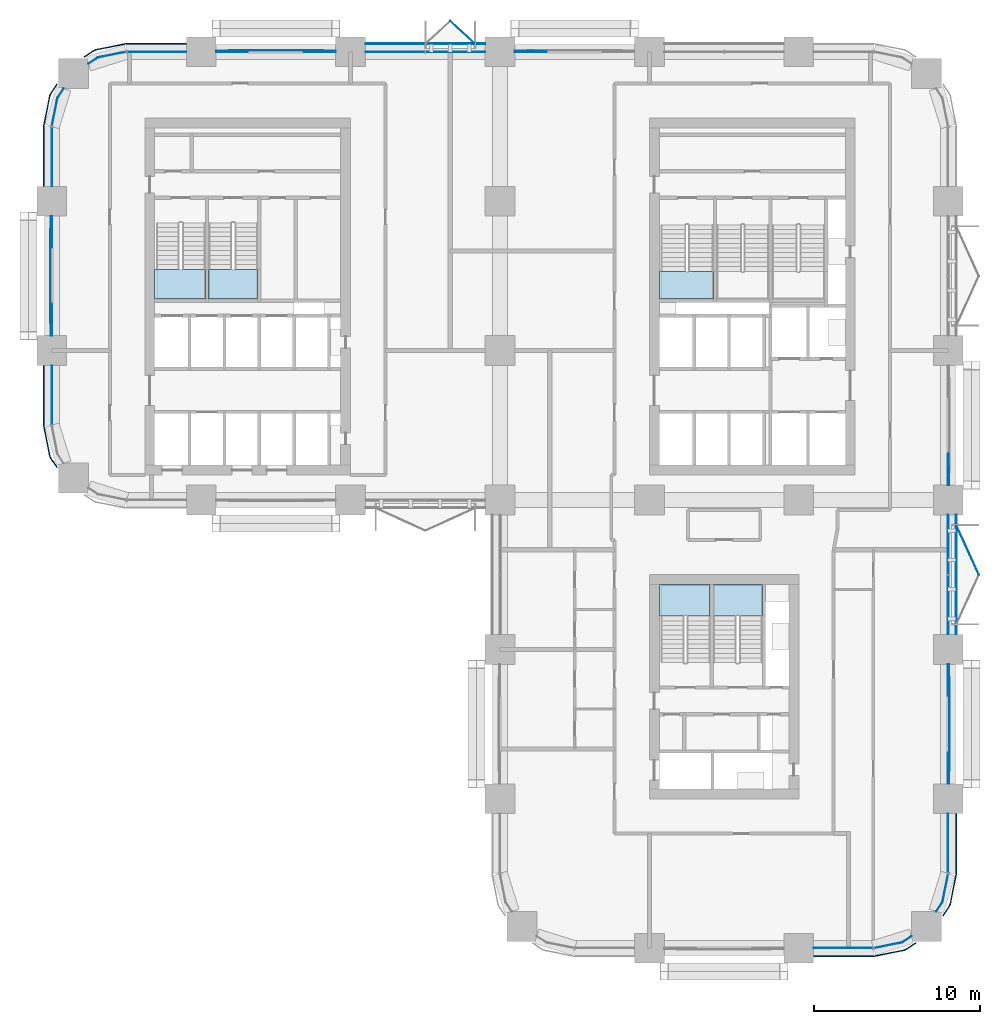
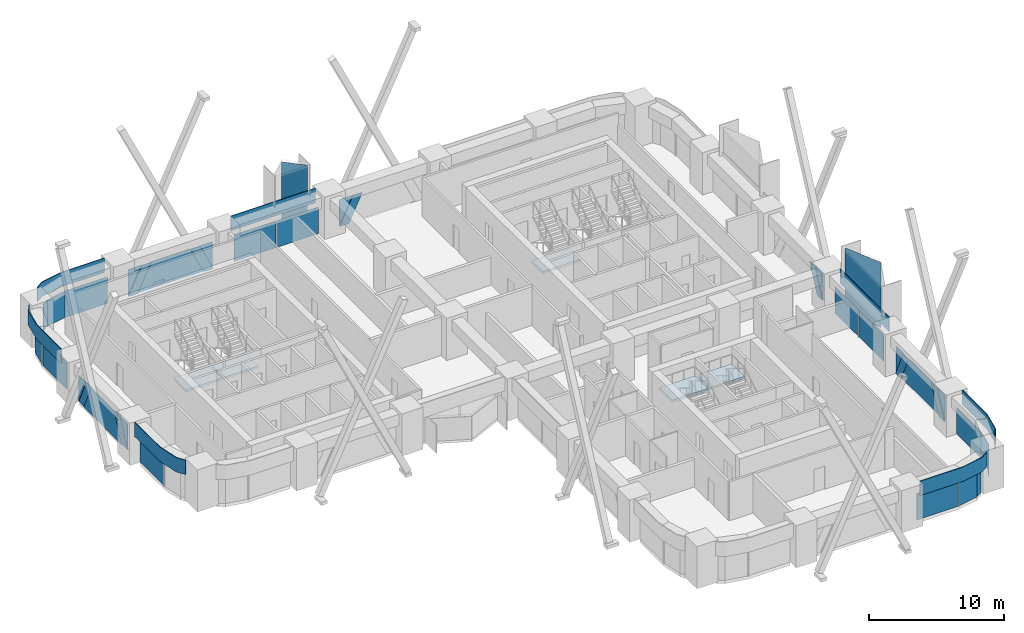
# One storey, part 11 of 19: 41 plates, 5 slabs, 17 elements without a shape of their own.
"""IFC4 building model written with IfcOpenShell, lengths in metres."""

from ifc_helpers import new_model, si_unit, direction, frame, origin, origin_2d, place, context, subcontext, project, spatial, polyline, rectangle, outline, extrude, material, layer, layer_set, type_object, element, aggregate, save


model = new_model("IFC4")

# Units and contexts
model_context = context("Model", 3, precision=1e-05, world=origin(), true_north=direction((0.0, 1.0)))
body_context = subcontext(model_context, "Body", "Model", "MODEL_VIEW")
ifc_project = project(units=[si_unit("LENGTHUNIT", "METRE"), si_unit("AREAUNIT", "SQUARE_METRE"), si_unit("VOLUMEUNIT", "CUBIC_METRE"), si_unit("PLANEANGLEUNIT", "RADIAN"), si_unit("MASSUNIT", "GRAM", prefix="KILO")], contexts=[model_context])

# Site, building, storey
site_placement = place(None, origin())
site = spatial("IfcSite", under=ifc_project, at=site_placement, CompositionType="ELEMENT")
building_placement = place(site_placement, origin())
building = spatial("IfcBuilding", under=site, at=building_placement, Name="Tessera Arch", CompositionType="ELEMENT")
storey_placement = place(building_placement, frame((0.0, 0.0, 93.0)))
storey = spatial("IfcBuildingStorey", under=building, at=storey_placement, Name="L21", CompositionType="ELEMENT", Elevation=93.0)

# Curtain wall, plates
ifc_material_1 = material(Name="CW1 curtain wall")
curtain_wall_type_1 = type_object("IfcCurtainWallType", Name="CW1 curtain wall", PredefinedType="NOTDEFINED", material=ifc_material_1)
curtain_wall_1_placement = place(storey_placement, origin())
curtain_wall_1 = element("IfcCurtainWall", 1, at=curtain_wall_1_placement, inside=storey, type_object=curtain_wall_type_1, Name="CW1 curtain wall N54.0/2 L21", PredefinedType="NOTDEFINED")
ifc_material_2 = material(Name="Clear low-e glass", Category="glass")
ifc_material_3 = material(Name="Clear low-e glass", Category="glass")
ifc_layer_1 = layer(ifc_material_3, 0.028076171875)
ifc_layer_set_1 = layer_set([ifc_layer_1], Name="CW1 glass panel")
plate_type_1 = type_object("IfcPlateType", Name="CW1 glass panel", PredefinedType="CURTAIN_PANEL", material=ifc_layer_set_1)
plate_1_placement = place(storey_placement, frame((24.31494140625, 54.0, 0.0), z_axis=(0.0, 0.0, 1.0), x_axis=(-1.0, 0.0, 0.0)))
plate_1 = element("IfcPlate", 2, at=plate_1_placement, type_object=plate_type_1, material=ifc_material_2, Name="CW1 glass panel N54.0/2 1.1.1", PredefinedType="CURTAIN_PANEL", context=body_context, shape_type="SweptSolid", body=[
    extrude(rectangle(XDim=3.570068359375, YDim=0.028076171875, at=origin_2d()), origin(), (0.0, 0.0, 1.0), 2.39990234375),
])
plate_2_placement = place(storey_placement, frame((20.68505859375, 54.0, 0.0), z_axis=(0.0, 0.0, 1.0), x_axis=(-1.0, 0.0, 0.0)))
plate_2 = element("IfcPlate", 3, at=plate_2_placement, type_object=plate_type_1, material=ifc_material_2, Name="CW1 glass panel N54.0/2 1.2.1", PredefinedType="CURTAIN_PANEL", context=body_context, shape_type="SweptSolid", body=[
    extrude(rectangle(XDim=3.570068359375, YDim=0.028076171875, at=origin_2d()), origin(), (0.0, 0.0, 1.0), 2.39990234375),
])

curtain_wall_2_placement = place(storey_placement, origin())
curtain_wall_2 = element("IfcCurtainWall", 4, at=curtain_wall_2_placement, inside=storey, type_object=curtain_wall_type_1, Name="CW1 curtain wall E54.0/2 L21", PredefinedType="NOTDEFINED")
plate_3_placement = place(storey_placement, frame((54.0, 20.68505859375, 0.0), z_axis=(0.0, 0.0, 1.0), x_axis=(0.0, 1.0, 0.0)))
plate_3 = element("IfcPlate", 5, at=plate_3_placement, type_object=plate_type_1, material=ifc_material_2, Name="CW1 glass panel E54.0/2 1.1.1", PredefinedType="CURTAIN_PANEL", context=body_context, shape_type="SweptSolid", body=[
    extrude(rectangle(XDim=3.570068359375, YDim=0.028076171875, at=origin_2d()), origin(), (0.0, 0.0, 1.0), 2.39990234375),
])
plate_4_placement = place(storey_placement, frame((54.0, 24.31494140625, 0.0), z_axis=(0.0, 0.0, 1.0), x_axis=(0.0, 1.0, 0.0)))
plate_4 = element("IfcPlate", 6, at=plate_4_placement, type_object=plate_type_1, material=ifc_material_2, Name="CW1 glass panel E54.0/2 1.2.1", PredefinedType="CURTAIN_PANEL", context=body_context, shape_type="SweptSolid", body=[
    extrude(rectangle(XDim=3.570068359375, YDim=0.028076171875, at=origin_2d()), origin(), (0.0, 0.0, 1.0), 2.39990234375),
])

# Plate
ifc_material_4 = material(Name="Pale anodised aluminium panel", Category="aluminium")
ifc_layer_2 = layer(ifc_material_4, 0.06005859375)
ifc_layer_set_2 = layer_set([ifc_layer_2], Name="CW1 spandrel panel")
plate_type_2 = type_object("IfcPlateType", Name="CW1 spandrel panel", PredefinedType="CURTAIN_PANEL", material=ifc_layer_set_2)
plate_5_placement = place(storey_placement, frame((22.5, 54.47998046875, 2.5), z_axis=(0.0, 0.0, 1.0), x_axis=(-1.0, 0.0, 0.0)))
plate_5 = element("IfcPlate", 7, at=plate_5_placement, type_object=plate_type_2, Name="CW1 spandrel panel N54.0/2", PredefinedType="CURTAIN_PANEL", context=body_context, shape_type="SweptSolid", body=[
    extrude(rectangle(XDim=7.199951171875, YDim=0.06005859375, at=origin_2d()), origin(), (0.0, 0.0, 1.0), 1.300048828125),
])

aggregate(curtain_wall_1, [plate_1, plate_2, plate_5])

plate_6_placement = place(storey_placement, frame((54.47998046875, 22.5, 2.5), z_axis=(0.0, 0.0, 1.0), x_axis=(0.0, 1.0, 0.0)))
plate_6 = element("IfcPlate", 8, at=plate_6_placement, type_object=plate_type_2, Name="CW1 spandrel panel E54.0/2", PredefinedType="CURTAIN_PANEL", context=body_context, shape_type="SweptSolid", body=[
    extrude(rectangle(XDim=7.199951171875, YDim=0.06005859375, at=origin_2d()), origin(), (0.0, 0.0, 1.0), 1.300048828125),
])

aggregate(curtain_wall_2, [plate_3, plate_4, plate_6])

# Curtain wall, plates
ifc_material_5 = material(Name="CW2 curtain wall")
curtain_wall_type_2 = type_object("IfcCurtainWallType", Name="CW2 curtain wall", PredefinedType="NOTDEFINED", material=ifc_material_5)
curtain_wall_3_placement = place(storey_placement, origin())
curtain_wall_3 = element("IfcCurtainWall", 9, at=curtain_wall_3_placement, inside=storey, type_object=curtain_wall_type_2, Name="CW2 curtain wall N54.0/4 L21", PredefinedType="NOTDEFINED")
ifc_material_6 = material(Name="Clear low-e glass", Category="glass")
ifc_layer_3 = layer(ifc_material_6, 0.028076171875)
ifc_layer_set_3 = layer_set([ifc_layer_3], Name="CW2 glass panel")
plate_type_3 = type_object("IfcPlateType", Name="CW2 glass panel", PredefinedType="CURTAIN_PANEL", material=ifc_layer_set_3)
plate_7_placement = place(storey_placement, frame((6.320068359375, 54.0, 0.0), z_axis=(0.0, 0.0, 1.0), x_axis=(-1.0, 0.0, 0.0)))
plate_7 = element("IfcPlate", 10, at=plate_7_placement, type_object=plate_type_3, material=ifc_material_2, Name="CW2 glass panel N54.0/4 1.1", PredefinedType="CURTAIN_PANEL", context=body_context, shape_type="SweptSolid", body=[
    extrude(rectangle(XDim=3.56005859375, YDim=0.028076171875, at=origin_2d()), origin(), (0.0, 0.0, 1.0), 2.39990234375),
])
plate_8_placement = place(storey_placement, origin())
plate_8 = element("IfcPlate", 11, at=plate_8_placement, type_object=plate_type_3, material=ifc_material_2, Name="CW2 curved glass panel N54.0/4 2.1", PredefinedType="CURTAIN_PANEL", context=body_context, shape_type="SweptSolid", body=[
    extrude(outline(polyline([(2.783447265625, 53.644287109375), (4.46337890625, 53.978515625), (4.4580078125, 54.005859375), (2.7724609375, 53.670654296875), (2.210205078125, 53.294921875), (2.225830078125, 53.271728515625), (2.783447265625, 53.644287109375)])), origin(), (0.0, 0.0, 1.0), 2.39990234375),
])

curtain_wall_4_placement = place(storey_placement, origin())
curtain_wall_4 = element("IfcCurtainWall", 12, at=curtain_wall_4_placement, inside=storey, type_object=curtain_wall_type_2, Name="CW2 curtain wall W0.27/0 L21", PredefinedType="NOTDEFINED")
plate_9_placement = place(storey_placement, frame((0.0, 47.679931640625, 0.0), z_axis=(0.0, 0.0, 1.0), x_axis=(0.0, -1.0, 0.0)))
plate_9 = element("IfcPlate", 13, at=plate_9_placement, type_object=plate_type_3, material=ifc_material_2, Name="CW2 glass panel W0.27/0 1.1", PredefinedType="CURTAIN_PANEL", context=body_context, shape_type="SweptSolid", body=[
    extrude(rectangle(XDim=3.56005859375, YDim=0.028076171875, at=origin_2d()), origin(), (0.0, 0.0, 1.0), 2.39990234375),
])
plate_10_placement = place(storey_placement, origin())
plate_10 = element("IfcPlate", 14, at=plate_10_placement, type_object=plate_type_3, material=ifc_material_2, Name="CW2 curved glass panel W0.27/0 2.1", PredefinedType="CURTAIN_PANEL", context=body_context, shape_type="SweptSolid", body=[
    extrude(outline(polyline([(0.355712890625, 51.216552734375), (0.728271484375, 51.774169921875), (0.705078125, 51.789794921875), (0.329345703125, 51.2275390625), (-0.005859375, 49.5419921875), (0.021484375, 49.53662109375), (0.355712890625, 51.216552734375)])), origin(), (0.0, 0.0, 1.0), 2.39990234375),
])

# Curtain wall, plate
curtain_wall_5_placement = place(storey_placement, origin())
curtain_wall_5 = element("IfcCurtainWall", 15, at=curtain_wall_5_placement, inside=storey, type_object=curtain_wall_type_2, Name="CW2 curtain wall W0.27/2 L21", PredefinedType="NOTDEFINED")
plate_11_placement = place(storey_placement, frame((0.0, 33.320068359375, 0.0), z_axis=(0.0, 0.0, 1.0), x_axis=(0.0, -1.0, 0.0)))
plate_11 = element("IfcPlate", 16, at=plate_11_placement, type_object=plate_type_3, material=ifc_material_2, Name="CW2 glass panel W0.27/2 1.1", PredefinedType="CURTAIN_PANEL", context=body_context, shape_type="SweptSolid", body=[
    extrude(rectangle(XDim=3.56005859375, YDim=0.028076171875, at=origin_2d()), origin(), (0.0, 0.0, 1.0), 2.39990234375),
])

# Curtain wall, plates
curtain_wall_6_placement = place(storey_placement, origin())
curtain_wall_6 = element("IfcCurtainWall", 17, at=curtain_wall_6_placement, inside=storey, type_object=curtain_wall_type_2, Name="CW2 curtain wall S0.27/2 L21", PredefinedType="NOTDEFINED")
plate_12_placement = place(storey_placement, frame((47.679931640625, 0.0, 0.0), z_axis=(0.0, 0.0, 1.0), x_axis=(1.0, 0.0, 0.0)))
plate_12 = element("IfcPlate", 18, at=plate_12_placement, type_object=plate_type_3, material=ifc_material_2, Name="CW2 glass panel S0.27/2 1.1", PredefinedType="CURTAIN_PANEL", context=body_context, shape_type="SweptSolid", body=[
    extrude(rectangle(XDim=3.56005859375, YDim=0.028076171875, at=origin_2d()), origin(), (0.0, 0.0, 1.0), 2.39990234375),
])
plate_13_placement = place(storey_placement, origin())
plate_13 = element("IfcPlate", 19, at=plate_13_placement, type_object=plate_type_3, material=ifc_material_2, Name="CW2 curved glass panel S0.27/2 2.1", PredefinedType="CURTAIN_PANEL", context=body_context, shape_type="SweptSolid", body=[
    extrude(outline(polyline([(51.216552734375, 0.355712890625), (49.53662109375, 0.021484375), (49.5419921875, -0.005859375), (51.2275390625, 0.329345703125), (51.789794921875, 0.705078125), (51.774169921875, 0.728271484375), (51.216552734375, 0.355712890625)])), origin(), (0.0, 0.0, 1.0), 2.39990234375),
])

curtain_wall_7_placement = place(storey_placement, origin())
curtain_wall_7 = element("IfcCurtainWall", 20, at=curtain_wall_7_placement, inside=storey, type_object=curtain_wall_type_2, Name="CW2 curtain wall E54.0/0 L21", PredefinedType="NOTDEFINED")
plate_14_placement = place(storey_placement, frame((54.0, 6.320068359375, 0.0), z_axis=(0.0, 0.0, 1.0), x_axis=(0.0, 1.0, 0.0)))
plate_14 = element("IfcPlate", 21, at=plate_14_placement, type_object=plate_type_3, material=ifc_material_2, Name="CW2 glass panel E54.0/0 1.1", PredefinedType="CURTAIN_PANEL", context=body_context, shape_type="SweptSolid", body=[
    extrude(rectangle(XDim=3.56005859375, YDim=0.028076171875, at=origin_2d()), origin(), (0.0, 0.0, 1.0), 2.39990234375),
])
plate_15_placement = place(storey_placement, origin())
plate_15 = element("IfcPlate", 22, at=plate_15_placement, type_object=plate_type_3, material=ifc_material_2, Name="CW2 curved glass panel E54.0/0 2.1", PredefinedType="CURTAIN_PANEL", context=body_context, shape_type="SweptSolid", body=[
    extrude(outline(polyline([(53.644287109375, 2.783447265625), (53.271728515625, 2.225830078125), (53.294921875, 2.210205078125), (53.670654296875, 2.7724609375), (54.005859375, 4.4580078125), (53.978515625, 4.46337890625), (53.644287109375, 2.783447265625)])), origin(), (0.0, 0.0, 1.0), 2.39990234375),
])

# Plate
ifc_material_7 = material(Name="Pale anodised aluminium panel", Category="aluminium")
ifc_layer_4 = layer(ifc_material_7, 0.06005859375)
ifc_layer_set_4 = layer_set([ifc_layer_4], Name="CW2 spandrel panel")
plate_type_4 = type_object("IfcPlateType", Name="CW2 spandrel panel", PredefinedType="CURTAIN_PANEL", material=ifc_layer_set_4)
plate_16_placement = place(storey_placement, frame((0.0, 0.0, 2.5)))
plate_16 = element("IfcPlate", 23, at=plate_16_placement, type_object=plate_type_4, Name="CW2 spandrel panel N54.0/4", PredefinedType="CURTAIN_PANEL", context=body_context, shape_type="SweptSolid", body=[
    extrude(outline(polyline([(4.500732421875, 54.449951171875), (8.10009765625, 54.449951171875), (8.10009765625, 54.510009765625), (4.499267578125, 54.510009765625), (4.449951171875, 54.507568359375), (4.401123046875, 54.500244140625), (2.677734375, 54.157470703125), (2.6298828125, 54.1455078125), (2.582763671875, 54.128662109375), (2.537353515625, 54.107177734375), (2.4951171875, 54.08203125), (1.9345703125, 53.707275390625), (1.968017578125, 53.657470703125), (2.52734375, 54.03125), (2.565673828125, 54.05419921875), (2.605712890625, 54.0732421875), (2.647216796875, 54.088134765625), (2.69091796875, 54.09912109375), (4.411376953125, 54.441162109375), (4.455810546875, 54.44775390625), (4.500732421875, 54.449951171875)])), origin(), (0.0, 0.0, 1.0), 1.300048828125),
])

aggregate(curtain_wall_3, [plate_7, plate_8, plate_16])

plate_17_placement = place(storey_placement, frame((0.0, 0.0, 2.5)))
plate_17 = element("IfcPlate", 24, at=plate_17_placement, type_object=plate_type_4, Name="CW2 spandrel panel W0.27/0", PredefinedType="CURTAIN_PANEL", context=body_context, shape_type="SweptSolid", body=[
    extrude(outline(polyline([(-0.03125, 51.47265625), (0.342529296875, 52.031982421875), (0.292724609375, 52.0654296875), (-0.08203125, 51.5048828125), (-0.107177734375, 51.462646484375), (-0.128662109375, 51.417236328125), (-0.1455078125, 51.3701171875), (-0.157470703125, 51.322265625), (-0.500244140625, 49.598876953125), (-0.507568359375, 49.550048828125), (-0.510009765625, 49.500732421875), (-0.510009765625, 45.89990234375), (-0.449951171875, 45.89990234375), (-0.449951171875, 49.499267578125), (-0.44775390625, 49.544189453125), (-0.441162109375, 49.588623046875), (-0.09912109375, 51.30908203125), (-0.088134765625, 51.352783203125), (-0.0732421875, 51.394287109375), (-0.05419921875, 51.434326171875), (-0.03125, 51.47265625)])), origin(), (0.0, 0.0, 1.0), 1.300048828125),
])

aggregate(curtain_wall_4, [plate_9, plate_10, plate_17])

plate_18_placement = place(storey_placement, frame((0.0, 0.0, 2.5)))
plate_18 = element("IfcPlate", 25, at=plate_18_placement, type_object=plate_type_4, Name="CW2 spandrel panel W0.27/2", PredefinedType="CURTAIN_PANEL", context=body_context, shape_type="SweptSolid", body=[
    extrude(outline(polyline([(-0.449951171875, 31.500732421875), (-0.449951171875, 35.10009765625), (-0.510009765625, 35.10009765625), (-0.510009765625, 31.499267578125), (-0.507568359375, 31.449951171875), (-0.500244140625, 31.401123046875), (-0.157470703125, 29.677734375), (-0.1455078125, 29.6298828125), (-0.128662109375, 29.582763671875), (-0.107177734375, 29.537353515625), (-0.08203125, 29.4951171875), (0.292724609375, 28.9345703125), (0.342529296875, 28.968017578125), (-0.03125, 29.52734375), (-0.05419921875, 29.565673828125), (-0.0732421875, 29.605712890625), (-0.088134765625, 29.647216796875), (-0.09912109375, 29.69091796875), (-0.441162109375, 31.411376953125), (-0.44775390625, 31.455810546875), (-0.449951171875, 31.500732421875)])), origin(), (0.0, 0.0, 1.0), 1.300048828125),
])

aggregate(curtain_wall_5, [plate_11, plate_18])

plate_19_placement = place(storey_placement, frame((0.0, 0.0, 2.5)))
plate_19 = element("IfcPlate", 26, at=plate_19_placement, type_object=plate_type_4, Name="CW2 spandrel panel S0.27/2", PredefinedType="CURTAIN_PANEL", context=body_context, shape_type="SweptSolid", body=[
    extrude(outline(polyline([(49.499267578125, -0.449951171875), (45.89990234375, -0.449951171875), (45.89990234375, -0.510009765625), (49.500732421875, -0.510009765625), (49.550048828125, -0.507568359375), (49.598876953125, -0.500244140625), (51.322265625, -0.157470703125), (51.3701171875, -0.1455078125), (51.417236328125, -0.128662109375), (51.462646484375, -0.107177734375), (51.5048828125, -0.08203125), (52.0654296875, 0.292724609375), (52.031982421875, 0.342529296875), (51.47265625, -0.03125), (51.434326171875, -0.05419921875), (51.394287109375, -0.0732421875), (51.352783203125, -0.088134765625), (51.30908203125, -0.09912109375), (49.588623046875, -0.441162109375), (49.544189453125, -0.44775390625), (49.499267578125, -0.449951171875)])), origin(), (0.0, 0.0, 1.0), 1.300048828125),
])

aggregate(curtain_wall_6, [plate_12, plate_13, plate_19])

plate_20_placement = place(storey_placement, frame((0.0, 0.0, 2.5)))
plate_20 = element("IfcPlate", 27, at=plate_20_placement, type_object=plate_type_4, Name="CW2 spandrel panel E54.0/0", PredefinedType="CURTAIN_PANEL", context=body_context, shape_type="SweptSolid", body=[
    extrude(outline(polyline([(54.03125, 2.52734375), (53.657470703125, 1.968017578125), (53.707275390625, 1.9345703125), (54.08203125, 2.4951171875), (54.107177734375, 2.537353515625), (54.128662109375, 2.582763671875), (54.1455078125, 2.6298828125), (54.157470703125, 2.677734375), (54.500244140625, 4.401123046875), (54.507568359375, 4.449951171875), (54.510009765625, 4.499267578125), (54.510009765625, 8.10009765625), (54.449951171875, 8.10009765625), (54.449951171875, 4.500732421875), (54.44775390625, 4.455810546875), (54.441162109375, 4.411376953125), (54.09912109375, 2.69091796875), (54.088134765625, 2.647216796875), (54.0732421875, 2.605712890625), (54.05419921875, 2.565673828125), (54.03125, 2.52734375)])), origin(), (0.0, 0.0, 1.0), 1.300048828125),
])

aggregate(curtain_wall_7, [plate_14, plate_15, plate_20])

# Curtain wall, plate
ifc_material_8 = material(Name="CW3 curtain wall")
curtain_wall_type_3 = type_object("IfcCurtainWallType", Name="CW3 curtain wall", PredefinedType="NOTDEFINED", material=ifc_material_8)
curtain_wall_8_placement = place(storey_placement, origin())
curtain_wall_8 = element("IfcCurtainWall", 28, at=curtain_wall_8_placement, inside=storey, type_object=curtain_wall_type_3, Name="CW3 curtain wall N54.0/1 L21", PredefinedType="NOTDEFINED")
ifc_material_9 = material(Name="Pale anodised aluminium panel", Category="aluminium")
ifc_layer_5 = layer(ifc_material_9, 0.06005859375)
ifc_layer_set_5 = layer_set([ifc_layer_5], Name="CW3 diagonal panel")
plate_type_5 = type_object("IfcPlateType", Name="CW3 diagonal panel", PredefinedType="CURTAIN_PANEL", material=ifc_layer_set_5)
plate_21_placement = place(storey_placement, frame((27.89990234375, 54.030029296875, 0.0), z_axis=(0.0, 1.0, 0.0), x_axis=(0.0, 0.0, 1.0)))
plate_21 = element("IfcPlate", 29, at=plate_21_placement, type_object=plate_type_5, Name="CW3 diagonal panel N54.0/1 1", PredefinedType="CURTAIN_PANEL", context=body_context, shape_type="SweptSolid", body=[
    extrude(outline(polyline([(0.0, 0.0), (0.04248046875, 0.0), (2.39990234375, 1.11669921875), (2.39990234375, 1.9150390625), (0.0, 0.778076171875), (0.0, 0.0)])), origin(), (0.0, 0.0, -1.0), 0.06005859375),
])

# Curtain wall, plates
curtain_wall_9_placement = place(storey_placement, origin())
curtain_wall_9 = element("IfcCurtainWall", 30, at=curtain_wall_9_placement, inside=storey, type_object=curtain_wall_type_3, Name="CW3 curtain wall N54.0/3 L21", PredefinedType="NOTDEFINED")
plate_22_placement = place(storey_placement, frame((9.89990234375, 54.030029296875, 0.0), z_axis=(0.0, 1.0, 0.0), x_axis=(0.0, 0.0, 1.0)))
plate_22 = element("IfcPlate", 31, at=plate_22_placement, type_object=plate_type_5, Name="CW3 diagonal panel N54.0/3 1", PredefinedType="CURTAIN_PANEL", context=body_context, shape_type="SweptSolid", body=[
    extrude(outline(polyline([(0.0, 0.0), (0.04248046875, 0.0), (2.39990234375, 1.11669921875), (2.39990234375, 1.9150390625), (0.0, 0.778076171875), (0.0, 0.0)])), origin(), (0.0, 0.0, -1.0), 0.06005859375),
])
plate_23_placement = place(storey_placement, frame((15.18505859375, 54.030029296875, 2.39990234375), z_axis=(0.0, 1.0, 0.0), x_axis=(1.0, 0.0, 0.0)))
plate_23 = element("IfcPlate", 32, at=plate_23_placement, type_object=plate_type_5, Name="CW3 diagonal panel N54.0/3 2", PredefinedType="CURTAIN_PANEL", context=body_context, shape_type="SweptSolid", body=[
    extrude(outline(polyline([(0.0, 0.0), (0.79833984375, 0.0), (1.9150390625, 2.357421875), (1.9150390625, 2.39990234375), (1.136962890625, 2.39990234375), (0.0, 0.0)])), origin(), (0.0, 0.0, -1.0), 0.06005859375),
])

curtain_wall_10_placement = place(storey_placement, origin())
curtain_wall_10 = element("IfcCurtainWall", 33, at=curtain_wall_10_placement, inside=storey, type_object=curtain_wall_type_3, Name="CW3 curtain wall W0.27/1 L21", PredefinedType="NOTDEFINED")
plate_24_placement = place(storey_placement, frame((-0.030029296875, 36.89990234375, 0.0), z_axis=(-1.0, 0.0, 0.0), x_axis=(0.0, 0.0, 1.0)))
plate_24 = element("IfcPlate", 34, at=plate_24_placement, type_object=plate_type_5, Name="CW3 diagonal panel W0.27/1 1", PredefinedType="CURTAIN_PANEL", context=body_context, shape_type="SweptSolid", body=[
    extrude(outline(polyline([(0.0, 0.0), (0.04248046875, 0.0), (2.39990234375, 1.11669921875), (2.39990234375, 1.9150390625), (0.0, 0.778076171875), (0.0, 0.0)])), origin(), (0.0, 0.0, -1.0), 0.06005859375),
])
plate_25_placement = place(storey_placement, frame((-0.030029296875, 42.18505859375, 2.39990234375), z_axis=(-1.0, 0.0, 0.0), x_axis=(0.0, 1.0, 0.0)))
plate_25 = element("IfcPlate", 35, at=plate_25_placement, type_object=plate_type_5, Name="CW3 diagonal panel W0.27/1 2", PredefinedType="CURTAIN_PANEL", context=body_context, shape_type="SweptSolid", body=[
    extrude(outline(polyline([(0.0, 0.0), (0.79833984375, 0.0), (1.9150390625, 2.357421875), (1.9150390625, 2.39990234375), (1.136962890625, 2.39990234375), (0.0, 0.0)])), origin(), (0.0, 0.0, -1.0), 0.06005859375),
])

curtain_wall_11_placement = place(storey_placement, origin())
curtain_wall_11 = element("IfcCurtainWall", 36, at=curtain_wall_11_placement, inside=storey, type_object=curtain_wall_type_3, Name="CW3 curtain wall E54.0/1 L21", PredefinedType="NOTDEFINED")
plate_26_placement = place(storey_placement, frame((54.030029296875, 17.10009765625, 0.0), z_axis=(1.0, 0.0, 0.0), x_axis=(0.0, 0.0, 1.0)))
plate_26 = element("IfcPlate", 37, at=plate_26_placement, type_object=plate_type_5, Name="CW3 diagonal panel E54.0/1 1", PredefinedType="CURTAIN_PANEL", context=body_context, shape_type="SweptSolid", body=[
    extrude(outline(polyline([(0.0, 0.0), (0.04248046875, 0.0), (2.39990234375, 1.11669921875), (2.39990234375, 1.9150390625), (0.0, 0.778076171875), (0.0, 0.0)])), origin(), (0.0, 0.0, -1.0), 0.06005859375),
])
plate_27_placement = place(storey_placement, frame((54.030029296875, 11.81494140625, 2.39990234375), z_axis=(1.0, 0.0, 0.0), x_axis=(0.0, -1.0, 0.0)))
plate_27 = element("IfcPlate", 38, at=plate_27_placement, type_object=plate_type_5, Name="CW3 diagonal panel E54.0/1 2", PredefinedType="CURTAIN_PANEL", context=body_context, shape_type="SweptSolid", body=[
    extrude(outline(polyline([(0.0, 0.0), (0.79833984375, 0.0), (1.9150390625, 2.357421875), (1.9150390625, 2.39990234375), (1.136962890625, 2.39990234375), (0.0, 0.0)])), origin(), (0.0, 0.0, -1.0), 0.06005859375),
])

# Curtain wall, plate
curtain_wall_12_placement = place(storey_placement, origin())
curtain_wall_12 = element("IfcCurtainWall", 39, at=curtain_wall_12_placement, inside=storey, type_object=curtain_wall_type_3, Name="CW3 curtain wall E54.0/3 L21", PredefinedType="NOTDEFINED")
plate_28_placement = place(storey_placement, frame((54.030029296875, 29.81494140625, 2.39990234375), z_axis=(1.0, 0.0, 0.0), x_axis=(0.0, -1.0, 0.0)))
plate_28 = element("IfcPlate", 40, at=plate_28_placement, type_object=plate_type_5, Name="CW3 diagonal panel E54.0/3 2", PredefinedType="CURTAIN_PANEL", context=body_context, shape_type="SweptSolid", body=[
    extrude(outline(polyline([(0.0, 0.0), (0.79833984375, 0.0), (1.9150390625, 2.357421875), (1.9150390625, 2.39990234375), (1.136962890625, 2.39990234375), (0.0, 0.0)])), origin(), (0.0, 0.0, -1.0), 0.06005859375),
])

# Plate
ifc_material_10 = material(Name="Clear low-e glass", Category="glass")
ifc_layer_6 = layer(ifc_material_10, 0.028076171875)
ifc_layer_set_6 = layer_set([ifc_layer_6], Name="CW3 glass panel")
plate_type_6 = type_object("IfcPlateType", Name="CW3 glass panel", PredefinedType="CURTAIN_PANEL", material=ifc_layer_set_6)
plate_29_placement = place(storey_placement, frame((27.89990234375, 54.05810546875, 2.39990234375), z_axis=(0.0, 1.0, 0.0), x_axis=(1.0, 0.0, 0.0)))
plate_29 = element("IfcPlate", 41, at=plate_29_placement, type_object=plate_type_6, material=ifc_material_2, Name="CW3 triangulated glass panel N54.0/1 3", PredefinedType="CURTAIN_PANEL", context=body_context, shape_type="SweptSolid", body=[
    extrude(outline(polyline([(0.0, 0.0), (1.11669921875, 0.0), (0.0, 2.357421875), (0.0, 0.0)])), origin(), (0.0, 0.0, -1.0), 0.028076171875),
])

aggregate(curtain_wall_8, [plate_29, plate_21])

plate_30_placement = place(storey_placement, frame((17.10009765625, 54.05810546875, 2.39990234375), z_axis=(0.0, 1.0, 0.0), x_axis=(0.0, 0.0, -1.0)))
plate_30 = element("IfcPlate", 42, at=plate_30_placement, type_object=plate_type_6, material=ifc_material_2, Name="CW3 triangulated glass panel N54.0/3 1", PredefinedType="CURTAIN_PANEL", context=body_context, shape_type="SweptSolid", body=[
    extrude(outline(polyline([(0.0, 0.0), (2.357421875, 0.0), (0.0, 1.11669921875), (0.0, 0.0)])), origin(), (0.0, 0.0, -1.0), 0.028076171875),
])

plate_31_placement = place(storey_placement, frame((11.81494140625, 54.0859375, 2.39990234375), z_axis=(0.0, 1.0, 0.0), x_axis=(1.0, 0.0, 0.0)))
plate_31 = element("IfcPlate", 43, at=plate_31_placement, type_object=plate_type_6, material=ifc_material_2, Name="CW3 triangulated glass panel N54.0/3 2", PredefinedType="CURTAIN_PANEL", context=body_context, shape_type="SweptSolid", body=[
    extrude(outline(polyline([(0.0, 0.0), (3.3701171875, 0.0), (4.507080078125, 2.39990234375), (-1.136962890625, 2.39990234375), (0.0, 0.0)])), origin(), (0.0, 0.0, -1.0), 0.028076171875),
])

plate_32_placement = place(storey_placement, frame((9.89990234375, 54.05810546875, 2.39990234375), z_axis=(0.0, 1.0, 0.0), x_axis=(1.0, 0.0, 0.0)))
plate_32 = element("IfcPlate", 44, at=plate_32_placement, type_object=plate_type_6, material=ifc_material_2, Name="CW3 triangulated glass panel N54.0/3 3", PredefinedType="CURTAIN_PANEL", context=body_context, shape_type="SweptSolid", body=[
    extrude(outline(polyline([(0.0, 0.0), (1.11669921875, 0.0), (0.0, 2.357421875), (0.0, 0.0)])), origin(), (0.0, 0.0, -1.0), 0.028076171875),
])

aggregate(curtain_wall_9, [plate_30, plate_31, plate_32, plate_22, plate_23])

plate_33_placement = place(storey_placement, frame((-0.05810546875, 44.10009765625, 2.39990234375), z_axis=(-1.0, 0.0, 0.0), x_axis=(0.0, 0.0, -1.0)))
plate_33 = element("IfcPlate", 45, at=plate_33_placement, type_object=plate_type_6, material=ifc_material_2, Name="CW3 triangulated glass panel W0.27/1 1", PredefinedType="CURTAIN_PANEL", context=body_context, shape_type="SweptSolid", body=[
    extrude(outline(polyline([(0.0, 0.0), (2.357421875, 0.0), (0.0, 1.11669921875), (0.0, 0.0)])), origin(), (0.0, 0.0, -1.0), 0.028076171875),
])

plate_34_placement = place(storey_placement, frame((-0.0859375, 38.81494140625, 2.39990234375), z_axis=(-1.0, 0.0, 0.0), x_axis=(0.0, 1.0, 0.0)))
plate_34 = element("IfcPlate", 46, at=plate_34_placement, type_object=plate_type_6, material=ifc_material_2, Name="CW3 triangulated glass panel W0.27/1 2", PredefinedType="CURTAIN_PANEL", context=body_context, shape_type="SweptSolid", body=[
    extrude(outline(polyline([(0.0, 0.0), (3.3701171875, 0.0), (4.507080078125, 2.39990234375), (-1.136962890625, 2.39990234375), (0.0, 0.0)])), origin(), (0.0, 0.0, -1.0), 0.028076171875),
])

plate_35_placement = place(storey_placement, frame((-0.05810546875, 36.89990234375, 2.39990234375), z_axis=(-1.0, 0.0, 0.0), x_axis=(0.0, 1.0, 0.0)))
plate_35 = element("IfcPlate", 47, at=plate_35_placement, type_object=plate_type_6, material=ifc_material_2, Name="CW3 triangulated glass panel W0.27/1 3", PredefinedType="CURTAIN_PANEL", context=body_context, shape_type="SweptSolid", body=[
    extrude(outline(polyline([(0.0, 0.0), (1.11669921875, 0.0), (0.0, 2.357421875), (0.0, 0.0)])), origin(), (0.0, 0.0, -1.0), 0.028076171875),
])

aggregate(curtain_wall_10, [plate_33, plate_34, plate_35, plate_24, plate_25])

plate_36_placement = place(storey_placement, frame((54.05810546875, 9.89990234375, 2.39990234375), z_axis=(1.0, 0.0, 0.0), x_axis=(0.0, 0.0, -1.0)))
plate_36 = element("IfcPlate", 48, at=plate_36_placement, type_object=plate_type_6, material=ifc_material_2, Name="CW3 triangulated glass panel E54.0/1 1", PredefinedType="CURTAIN_PANEL", context=body_context, shape_type="SweptSolid", body=[
    extrude(outline(polyline([(0.0, 0.0), (2.357421875, 0.0), (0.0, 1.11669921875), (0.0, 0.0)])), origin(), (0.0, 0.0, -1.0), 0.028076171875),
])

plate_37_placement = place(storey_placement, frame((54.0859375, 15.18505859375, 2.39990234375), z_axis=(1.0, 0.0, 0.0), x_axis=(0.0, -1.0, 0.0)))
plate_37 = element("IfcPlate", 49, at=plate_37_placement, type_object=plate_type_6, material=ifc_material_2, Name="CW3 triangulated glass panel E54.0/1 2", PredefinedType="CURTAIN_PANEL", context=body_context, shape_type="SweptSolid", body=[
    extrude(outline(polyline([(0.0, 0.0), (3.3701171875, 0.0), (4.507080078125, 2.39990234375), (-1.136962890625, 2.39990234375), (0.0, 0.0)])), origin(), (0.0, 0.0, -1.0), 0.028076171875),
])

plate_38_placement = place(storey_placement, frame((54.05810546875, 17.10009765625, 2.39990234375), z_axis=(1.0, 0.0, 0.0), x_axis=(0.0, -1.0, 0.0)))
plate_38 = element("IfcPlate", 50, at=plate_38_placement, type_object=plate_type_6, material=ifc_material_2, Name="CW3 triangulated glass panel E54.0/1 3", PredefinedType="CURTAIN_PANEL", context=body_context, shape_type="SweptSolid", body=[
    extrude(outline(polyline([(0.0, 0.0), (1.11669921875, 0.0), (0.0, 2.357421875), (0.0, 0.0)])), origin(), (0.0, 0.0, -1.0), 0.028076171875),
])

aggregate(curtain_wall_11, [plate_36, plate_37, plate_38, plate_26, plate_27])

plate_39_placement = place(storey_placement, frame((54.05810546875, 27.89990234375, 2.39990234375), z_axis=(1.0, 0.0, 0.0), x_axis=(0.0, 0.0, -1.0)))
plate_39 = element("IfcPlate", 51, at=plate_39_placement, type_object=plate_type_6, material=ifc_material_2, Name="CW3 triangulated glass panel E54.0/3 1", PredefinedType="CURTAIN_PANEL", context=body_context, shape_type="SweptSolid", body=[
    extrude(outline(polyline([(0.0, 0.0), (2.357421875, 0.0), (0.0, 1.11669921875), (0.0, 0.0)])), origin(), (0.0, 0.0, -1.0), 0.028076171875),
])

aggregate(curtain_wall_12, [plate_39, plate_28])

# Stair, slab
ifc_material_11 = material(Name="Concrete C40/50", Category="concrete")
stair_type_1 = type_object("IfcStairType", Name="Dogleg stair 1520", PredefinedType="HALF_TURN_STAIR", material=ifc_material_11)
stair_1_placement = place(storey_placement, origin())
stair_1 = element("IfcStair", 52, at=stair_1_placement, inside=storey, type_object=stair_type_1, Name="L21 S1a", PredefinedType="HALF_TURN_STAIR")
ifc_material_12 = material(Name="Concrete C40/50", Category="concrete")
ifc_layer_7 = layer(ifc_material_12, 0.300048828125)
ifc_layer_set_7 = layer_set([ifc_layer_7], Name="Stair landing 300")
slab_type = type_object("IfcSlabType", Name="Stair landing 300", PredefinedType="LANDING", material=ifc_layer_set_7)
slab_1_placement = place(storey_placement, frame((0.0, 0.0, 1.699951171875)))
slab_1 = element("IfcSlab", 53, at=slab_1_placement, type_object=slab_type, Name="S1a landing 1", PredefinedType="LANDING", context=body_context, shape_type="SweptSolid", body=[
    extrude(outline(polyline([(36.60009765625, 40.780029296875), (36.60009765625, 39.10009765625), (39.85009765625, 39.10009765625), (39.85009765625, 40.780029296875), (36.60009765625, 40.780029296875)])), origin(), (0.0, 0.0, 1.0), 0.199951171875),
])
aggregate(stair_1, [slab_1])

ifc_material_13 = material(Name="Concrete C40/50", Category="concrete")
stair_type_2 = type_object("IfcStairType", Name="Dogleg stair 1400", PredefinedType="HALF_TURN_STAIR", material=ifc_material_13)
stair_2_placement = place(storey_placement, origin())
stair_2 = element("IfcStair", 54, at=stair_2_placement, inside=storey, type_object=stair_type_2, Name="L21 S2a", PredefinedType="HALF_TURN_STAIR")
slab_2_placement = place(storey_placement, frame((0.0, 0.0, 1.699951171875)))
slab_2 = element("IfcSlab", 55, at=slab_2_placement, type_object=slab_type, Name="S2a landing 1", PredefinedType="LANDING", context=body_context, shape_type="SweptSolid", body=[
    extrude(outline(polyline([(6.199951171875, 40.89990234375), (6.199951171875, 39.10009765625), (9.25, 39.10009765625), (9.25, 40.89990234375), (6.199951171875, 40.89990234375)])), origin(), (0.0, 0.0, 1.0), 0.199951171875),
])
aggregate(stair_2, [slab_2])

stair_3_placement = place(storey_placement, origin())
stair_3 = element("IfcStair", 56, at=stair_3_placement, inside=storey, type_object=stair_type_2, Name="L21 S2b", PredefinedType="HALF_TURN_STAIR")
slab_3_placement = place(storey_placement, frame((0.0, 0.0, 1.699951171875)))
slab_3 = element("IfcSlab", 57, at=slab_3_placement, type_object=slab_type, Name="S2b landing 1", PredefinedType="LANDING", context=body_context, shape_type="SweptSolid", body=[
    extrude(outline(polyline([(9.449951171875, 40.89990234375), (9.449951171875, 39.10009765625), (12.39990234375, 39.10009765625), (12.39990234375, 40.89990234375), (9.449951171875, 40.89990234375)])), origin(), (0.0, 0.0, 1.0), 0.199951171875),
])
aggregate(stair_3, [slab_3])

stair_4_placement = place(storey_placement, origin())
stair_4 = element("IfcStair", 58, at=stair_4_placement, inside=storey, type_object=stair_type_2, Name="L21 S3a", PredefinedType="HALF_TURN_STAIR")
slab_4_placement = place(storey_placement, frame((0.0, 0.0, 1.699951171875)))
slab_4 = element("IfcSlab", 59, at=slab_4_placement, type_object=slab_type, Name="S3a landing 1", PredefinedType="LANDING", context=body_context, shape_type="SweptSolid", body=[
    extrude(outline(polyline([(39.64990234375, 20.0), (39.64990234375, 21.89990234375), (36.60009765625, 21.89990234375), (36.60009765625, 20.0), (39.64990234375, 20.0)])), origin(), (0.0, 0.0, 1.0), 0.199951171875),
])
aggregate(stair_4, [slab_4])

stair_5_placement = place(storey_placement, origin())
stair_5 = element("IfcStair", 60, at=stair_5_placement, inside=storey, type_object=stair_type_2, Name="L21 S3b", PredefinedType="HALF_TURN_STAIR")
slab_5_placement = place(storey_placement, frame((0.0, 0.0, 1.699951171875)))
slab_5 = element("IfcSlab", 61, at=slab_5_placement, type_object=slab_type, Name="S3b landing 1", PredefinedType="LANDING", context=body_context, shape_type="SweptSolid", body=[
    extrude(outline(polyline([(42.800048828125, 20.0), (42.800048828125, 21.89990234375), (39.85009765625, 21.89990234375), (39.85009765625, 20.0), (42.800048828125, 20.0)])), origin(), (0.0, 0.0, 1.0), 0.199951171875),
])
aggregate(stair_5, [slab_5])

# Plates
ifc_material_14 = material(Name="Clear low-e glass", Category="glass")
ifc_layer_8 = layer(ifc_material_14, 0.028076171875)
ifc_layer_set_8 = layer_set([ifc_layer_8], Name="Window box glass facet")
plate_type_7 = type_object("IfcPlateType", Name="Window box glass facet", PredefinedType="SHEET", material=ifc_layer_set_8)
plate_40_placement = place(storey_placement, frame((24.72509765625, 55.179931640625, 0.2197265625), z_axis=(0.0, 0.0, 1.0), x_axis=(-0.734414958885, 0.678700720617, 0.0)))
element("IfcPlate", 62, at=plate_40_placement, inside=storey, type_object=plate_type_7, Name="Window box N54.0/2.0 1x2 glass", PredefinedType="SHEET", context=body_context, shape_type="SweptSolid", body=[
    extrude(rectangle(XDim=1.974365234375, YDim=0.028076171875, at=origin_2d()), origin(), (0.0, 0.0, 1.0), 5.860107421875),
])
plate_41_placement = place(storey_placement, frame((55.179931640625, 23.97509765625, 0.2197265625), z_axis=(0.0, 0.0, 1.0), x_axis=(0.413570397858, -0.910472144558, 0.0)))
element("IfcPlate", 63, at=plate_41_placement, inside=storey, type_object=plate_type_7, Name="Window box E54.0/2.0 2x2 glass", PredefinedType="SHEET", context=body_context, shape_type="SweptSolid", body=[
    extrude(rectangle(XDim=3.239990234375, YDim=0.028076171875, at=origin_2d()), origin(), (0.0, 0.0, 1.0), 5.860107421875),
])

save(model, "model.ifc")
